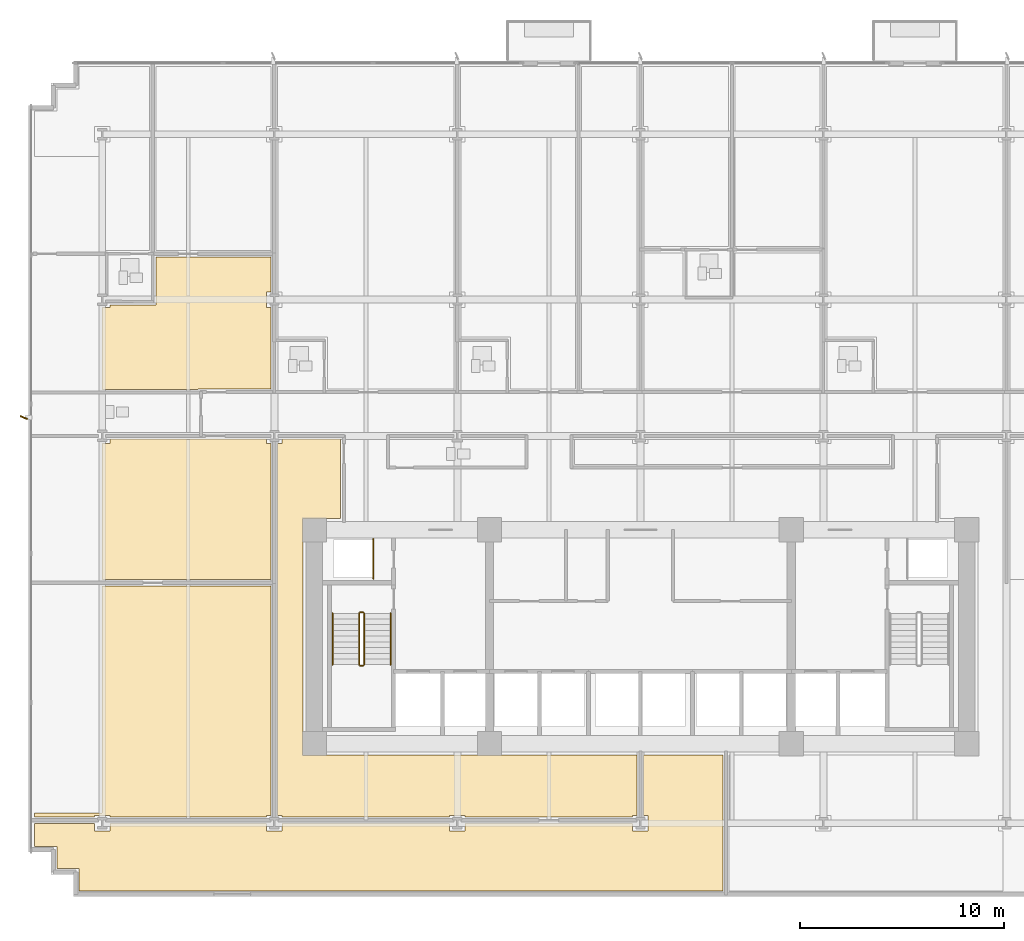
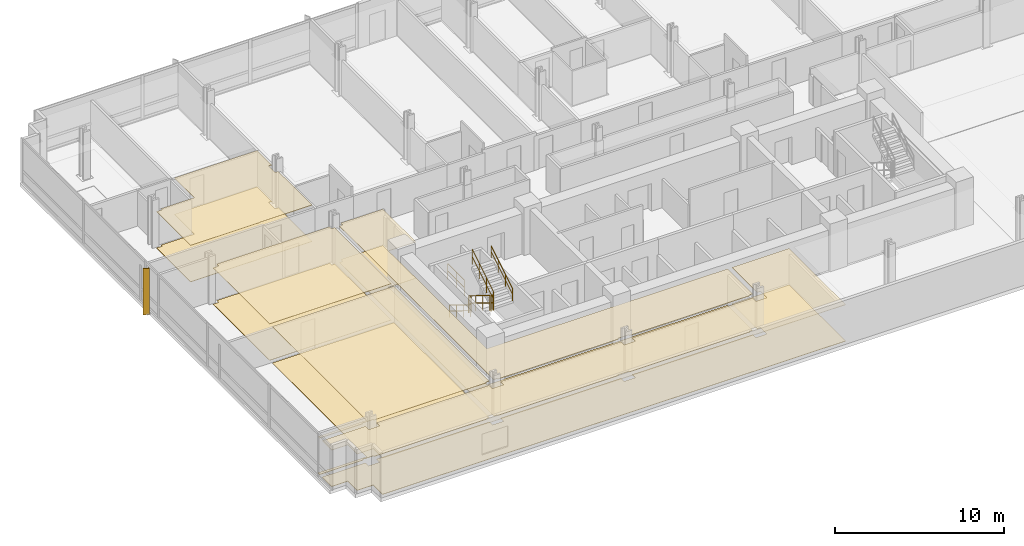
# One storey, part 12 of 16: 10 coverings, 7 railings, 1 shading device.
"""IFC4 building model written with IfcOpenShell, lengths in metres."""

from ifc_helpers import new_model, si_unit, direction, frame, origin, origin_2d, place, context, subcontext, project, spatial, polyline, rectangle, circle, outline, extrude, material, layer, layer_set, type_object, element, save


model = new_model("IFC4")

# Units and contexts
model_context = context("Model", 3, precision=1e-05, world=origin(), true_north=direction((0.0, 1.0)))
body_context = subcontext(model_context, "Body", "Model", "MODEL_VIEW")
ifc_project = project(units=[si_unit("LENGTHUNIT", "METRE"), si_unit("AREAUNIT", "SQUARE_METRE"), si_unit("VOLUMEUNIT", "CUBIC_METRE"), si_unit("PLANEANGLEUNIT", "RADIAN"), si_unit("MASSUNIT", "GRAM", prefix="KILO")], contexts=[model_context])

# Site, building, storey
site_placement = place(None, origin())
site = spatial("IfcSite", under=ifc_project, at=site_placement, CompositionType="ELEMENT")
building_placement = place(site_placement, origin())
building = spatial("IfcBuilding", under=site, at=building_placement, Name="Solmavex Isthmus Hotel", CompositionType="ELEMENT")
storey_placement = place(building_placement, frame((0.0, 0.0, 36.75)))
storey = spatial("IfcBuildingStorey", under=building, at=storey_placement, Name="L09", CompositionType="ELEMENT", Elevation=36.75)

# Coverings
ifc_material_1 = material(Name="Gypsum plasterboard lining", Category="gypsum")
ifc_layer_1 = layer(ifc_material_1, 0.030029296875)
ifc_layer_set_1 = layer_set([ifc_layer_1], Name="Gypsum plasterboard lining")
covering_type_1 = type_object("IfcCoveringType", Name="COV-CEIL-GYP", PredefinedType="CEILING", material=ifc_layer_set_1)
covering_1_placement = place(storey_placement, frame((0.0, 0.0, 2.6201171875)))
element("IfcCovering", 1, at=covering_1_placement, inside=storey, type_object=covering_type_1, Name="Suspended Acoustic Ceiling L09-SH01-LV", PredefinedType="CEILING", context=body_context, shape_type="SweptSolid", body=[
    extrude(outline(polyline([(-26.02001953125, 8.532958984375), (-26.02001953125, 8.407958984375), (-26.39990234375, 8.407958984375), (-26.39990234375, 4.385009765625), (-21.70703125, 4.385009765625), (-21.70703125, 4.405029296875), (-18.10693359375, 4.405029296875), (-18.10693359375, 8.407958984375), (-18.33203125, 8.407958984375), (-18.33203125, 9.16796875), (-18.10693359375, 9.16796875), (-18.10693359375, 10.883056640625), (-23.760986328125, 10.883056640625), (-23.760986328125, 8.532958984375), (-26.02001953125, 8.532958984375)])), origin(), (0.0, 0.0, 1.0), 0.02978515625),
])
covering_2_placement = place(storey_placement, frame((0.0, 0.0, 2.6201171875)))
element("IfcCovering", 2, at=covering_2_placement, inside=storey, type_object=covering_type_1, Name="Suspended Acoustic Ceiling L09-FL12", PredefinedType="CEILING", context=body_context, shape_type="SweptSolid", body=[
    extrude(outline(polyline([(-26.02001953125, 1.945068359375), (-26.02001953125, 1.719970703125), (-26.39990234375, 1.719970703125), (-26.39990234375, -4.945068359375), (-18.10693359375, -4.945068359375), (-18.10693359375, 1.719970703125), (-18.33203125, 1.719970703125), (-18.33203125, 1.945068359375), (-26.02001953125, 1.945068359375)])), origin(), (0.0, 0.0, 1.0), 0.02978515625),
])
covering_3_placement = place(storey_placement, frame((0.0, 0.0, 2.6201171875)))
element("IfcCovering", 3, at=covering_3_placement, inside=storey, type_object=covering_type_1, Name="Suspended Acoustic Ceiling L09-FL14", PredefinedType="CEILING", context=body_context, shape_type="SweptSolid", body=[
    extrude(outline(polyline([(-17.797119140625, -16.52001953125), (-17.572021484375, -16.52001953125), (-17.572021484375, -16.594970703125), (-9.35595703125, -16.594970703125), (-9.35595703125, -16.52001953125), (-8.595947265625, -16.52001953125), (-8.595947265625, -16.594970703125), (-0.3798828125, -16.594970703125), (-0.3798828125, -16.52001953125), (-0.155029296875, -16.52001953125), (-0.155029296875, -13.554931640625), (-16.554931640625, -13.554931640625), (-16.554931640625, -1.945068359375), (-14.698974609375, -1.945068359375), (-14.698974609375, 1.945068359375), (-17.572021484375, 1.945068359375), (-17.572021484375, 1.719970703125), (-17.797119140625, 1.719970703125), (-17.797119140625, -16.52001953125)])), origin(), (0.0, 0.0, 1.0), 0.02978515625),
])
covering_4_placement = place(storey_placement, frame((0.0, 0.0, 2.6201171875)))
element("IfcCovering", 4, at=covering_4_placement, inside=storey, type_object=covering_type_1, Name="Suspended Acoustic Ceiling L09-FL16", PredefinedType="CEILING", context=body_context, shape_type="SweptSolid", body=[
    extrude(outline(polyline([(-26.02001953125, -16.905029296875), (-26.02001953125, -17.280029296875), (-26.780029296875, -17.280029296875), (-26.780029296875, -16.905029296875), (-29.72509765625, -16.905029296875), (-29.72509765625, -18.02490234375), (-28.625, -18.02490234375), (-28.625, -19.125), (-27.52490234375, -19.125), (-27.52490234375, -20.22509765625), (4.044921875, -20.22509765625), (4.044921875, -13.554931640625), (0.155029296875, -13.554931640625), (0.155029296875, -16.52001953125), (0.3798828125, -16.52001953125), (0.3798828125, -17.280029296875), (-0.3798828125, -17.280029296875), (-0.3798828125, -16.905029296875), (-8.595947265625, -16.905029296875), (-8.595947265625, -17.280029296875), (-9.35595703125, -17.280029296875), (-9.35595703125, -16.905029296875), (-17.572021484375, -16.905029296875), (-17.572021484375, -17.280029296875), (-18.33203125, -17.280029296875), (-18.33203125, -16.905029296875), (-26.02001953125, -16.905029296875)])), origin(), (0.0, 0.0, 1.0), 0.02978515625),
])
covering_5_placement = place(storey_placement, frame((0.0, 0.0, 2.6201171875)))
element("IfcCovering", 5, at=covering_5_placement, inside=storey, type_object=covering_type_1, Name="Suspended Acoustic Ceiling L09-FL17", PredefinedType="CEILING", context=body_context, shape_type="SweptSolid", body=[
    extrude(outline(polyline([(-26.780029296875, -16.594970703125), (-26.780029296875, -16.52001953125), (-26.02001953125, -16.52001953125), (-26.02001953125, -16.594970703125), (-18.33203125, -16.594970703125), (-18.33203125, -16.52001953125), (-18.10693359375, -16.52001953125), (-18.10693359375, -5.2548828125), (-26.39990234375, -5.2548828125), (-26.39990234375, -16.39990234375), (-29.72509765625, -16.39990234375), (-29.72509765625, -16.594970703125), (-26.780029296875, -16.594970703125)])), origin(), (0.0, 0.0, 1.0), 0.02978515625),
])
ifc_material_2 = material(Name="Travertine natural stone", Category="masonry")
ifc_layer_2 = layer(ifc_material_2, 0.02490234375)
ifc_layer_set_2 = layer_set([ifc_layer_2], Name="Travertine natural stone")
covering_type_2 = type_object("IfcCoveringType", Name="COV-FLOR-STN", PredefinedType="FLOORING", material=ifc_layer_set_2)
covering_6_placement = place(storey_placement, origin())
element("IfcCovering", 6, at=covering_6_placement, inside=storey, type_object=covering_type_2, Name="Stone and Timber Floor Finish L09-SH01-LV", PredefinedType="FLOORING", context=body_context, shape_type="SweptSolid", body=[
    extrude(outline(polyline([(-26.02001953125, 8.532958984375), (-26.02001953125, 8.407958984375), (-26.39990234375, 8.407958984375), (-26.39990234375, 4.385009765625), (-21.70703125, 4.385009765625), (-21.70703125, 4.405029296875), (-18.10693359375, 4.405029296875), (-18.10693359375, 8.407958984375), (-18.33203125, 8.407958984375), (-18.33203125, 9.16796875), (-18.10693359375, 9.16796875), (-18.10693359375, 10.883056640625), (-23.760986328125, 10.883056640625), (-23.760986328125, 8.532958984375), (-26.02001953125, 8.532958984375)])), origin(), (0.0, 0.0, 1.0), 0.02490234375),
])
covering_7_placement = place(storey_placement, origin())
element("IfcCovering", 7, at=covering_7_placement, inside=storey, type_object=covering_type_2, Name="Stone and Timber Floor Finish L09-FL12", PredefinedType="FLOORING", context=body_context, shape_type="SweptSolid", body=[
    extrude(outline(polyline([(-26.02001953125, 1.945068359375), (-26.02001953125, 1.719970703125), (-26.39990234375, 1.719970703125), (-26.39990234375, -4.945068359375), (-18.10693359375, -4.945068359375), (-18.10693359375, 1.719970703125), (-18.33203125, 1.719970703125), (-18.33203125, 1.945068359375), (-26.02001953125, 1.945068359375)])), origin(), (0.0, 0.0, 1.0), 0.02490234375),
])
covering_8_placement = place(storey_placement, origin())
element("IfcCovering", 8, at=covering_8_placement, inside=storey, type_object=covering_type_2, Name="Stone and Timber Floor Finish L09-FL14", PredefinedType="FLOORING", context=body_context, shape_type="SweptSolid", body=[
    extrude(outline(polyline([(-17.797119140625, -16.52001953125), (-17.572021484375, -16.52001953125), (-17.572021484375, -16.594970703125), (-9.35595703125, -16.594970703125), (-9.35595703125, -16.52001953125), (-8.595947265625, -16.52001953125), (-8.595947265625, -16.594970703125), (-0.3798828125, -16.594970703125), (-0.3798828125, -16.52001953125), (-0.155029296875, -16.52001953125), (-0.155029296875, -13.554931640625), (-16.554931640625, -13.554931640625), (-16.554931640625, -1.945068359375), (-14.698974609375, -1.945068359375), (-14.698974609375, 1.945068359375), (-17.572021484375, 1.945068359375), (-17.572021484375, 1.719970703125), (-17.797119140625, 1.719970703125), (-17.797119140625, -16.52001953125)])), origin(), (0.0, 0.0, 1.0), 0.02490234375),
])
covering_9_placement = place(storey_placement, origin())
element("IfcCovering", 9, at=covering_9_placement, inside=storey, type_object=covering_type_2, Name="Stone and Timber Floor Finish L09-FL16", PredefinedType="FLOORING", context=body_context, shape_type="SweptSolid", body=[
    extrude(outline(polyline([(-26.02001953125, -16.905029296875), (-26.02001953125, -17.280029296875), (-26.780029296875, -17.280029296875), (-26.780029296875, -16.905029296875), (-29.72509765625, -16.905029296875), (-29.72509765625, -18.02490234375), (-28.625, -18.02490234375), (-28.625, -19.125), (-27.52490234375, -19.125), (-27.52490234375, -20.22509765625), (4.044921875, -20.22509765625), (4.044921875, -13.554931640625), (0.155029296875, -13.554931640625), (0.155029296875, -16.52001953125), (0.3798828125, -16.52001953125), (0.3798828125, -17.280029296875), (-0.3798828125, -17.280029296875), (-0.3798828125, -16.905029296875), (-8.595947265625, -16.905029296875), (-8.595947265625, -17.280029296875), (-9.35595703125, -17.280029296875), (-9.35595703125, -16.905029296875), (-17.572021484375, -16.905029296875), (-17.572021484375, -17.280029296875), (-18.33203125, -17.280029296875), (-18.33203125, -16.905029296875), (-26.02001953125, -16.905029296875)])), origin(), (0.0, 0.0, 1.0), 0.02490234375),
])
covering_10_placement = place(storey_placement, origin())
element("IfcCovering", 10, at=covering_10_placement, inside=storey, type_object=covering_type_2, Name="Stone and Timber Floor Finish L09-FL17", PredefinedType="FLOORING", context=body_context, shape_type="SweptSolid", body=[
    extrude(outline(polyline([(-26.780029296875, -16.594970703125), (-26.780029296875, -16.52001953125), (-26.02001953125, -16.52001953125), (-26.02001953125, -16.594970703125), (-18.33203125, -16.594970703125), (-18.33203125, -16.52001953125), (-18.10693359375, -16.52001953125), (-18.10693359375, -5.2548828125), (-26.39990234375, -5.2548828125), (-26.39990234375, -16.39990234375), (-29.72509765625, -16.39990234375), (-29.72509765625, -16.594970703125), (-26.780029296875, -16.594970703125)])), origin(), (0.0, 0.0, 1.0), 0.02490234375),
])

# Railings
ifc_material_3 = material(Name="Clear low-E laminated glass", Category="glass")
ifc_layer_3 = layer(ifc_material_3, 0.080078125)
ifc_layer_set_3 = layer_set([ifc_layer_3], Name="Clear low-E laminated glass")
railing_type_1 = type_object("IfcRailingType", Name="RAIL-ATRIUM-1120", PredefinedType="BALUSTRADE", material=ifc_layer_set_3)
railing_1_placement = place(storey_placement, frame((-13.10009765625, -4.89990234375, 0.0)))
element("IfcRailing", 11, at=railing_1_placement, inside=storey, type_object=railing_type_1, Name="Guardrail Balustrade L09-RSW-01", PredefinedType="BALUSTRADE", context=body_context, shape_type="SweptSolid", body=[
    extrude(circle(Radius=0.02392578125, at=origin_2d()), frame((0.0, 0.0, 1.1259765625), z_axis=(0.0, 1.0, 0.0), x_axis=(-1.0, 0.0, 0.0)), (0.0, 0.0, 1.0), 1.949951171875),
    extrude(circle(Radius=0.02392578125, at=origin_2d()), frame((0.0, 0.0, 0.574951171875), z_axis=(0.0, 1.0, 0.0), x_axis=(-1.0, 0.0, 0.0)), (0.0, 0.0, 1.0), 1.949951171875),
    extrude(circle(Radius=0.02099609375, at=origin_2d()), origin(), (0.0, 0.0, 1.0), 1.101806640625),
    extrude(circle(Radius=0.02099609375, at=origin_2d()), frame((0.0, 0.97509765625, 0.0)), (0.0, 0.0, 1.0), 1.101806640625),
    extrude(circle(Radius=0.02099609375, at=origin_2d()), frame((0.0, 1.949951171875, 0.0)), (0.0, 0.0, 1.0), 1.101806640625),
])
ifc_material_4 = material(Name="Stainless steel 316", Category="steel")
ifc_layer_4 = layer(ifc_material_4, 0.06005859375)
ifc_layer_set_4 = layer_set([ifc_layer_4], Name="Stainless steel 316")
railing_type_2 = type_object("IfcRailingType", Name="RAIL-STAIR-GD", PredefinedType="GUARDRAIL", material=ifc_layer_set_4)
railing_2_placement = place(storey_placement, frame((-13.800048828125, -6.60009765625, 0.172607421875)))
element("IfcRailing", 12, at=railing_2_placement, inside=storey, type_object=railing_type_2, Name="L09 ST-1 stair guard 1", PredefinedType="GUARDRAIL", context=body_context, shape_type="SweptSolid", body=[
    extrude(circle(Radius=0.02392578125, at=origin_2d()), frame((0.0, 0.0, 1.09619140625), z_axis=(0.0, -0.851400495292, 0.524516154772), x_axis=(1.0, 0.0, 0.0)), (0.0, 0.0, 1.0), 2.9599609375),
    extrude(circle(Radius=0.02392578125, at=origin_2d()), frame((0.0, 0.0, 0.56005859375), z_axis=(0.0, -0.851400495292, 0.524516154772), x_axis=(1.0, 0.0, 0.0)), (0.0, 0.0, 1.0), 2.9599609375),
    extrude(circle(Radius=0.02099609375, at=origin_2d()), origin(), (0.0, 0.0, 1.0), 1.072021484375),
    extrude(circle(Radius=0.02099609375, at=origin_2d()), frame((0.0, -0.840087890625, 0.517578125)), (0.0, 0.0, 1.0), 1.072021484375),
    extrude(circle(Radius=0.02099609375, at=origin_2d()), frame((0.0, -1.679931640625, 1.034912109375)), (0.0, 0.0, 1.0), 1.072021484375),
    extrude(circle(Radius=0.02099609375, at=origin_2d()), frame((0.0, -2.52001953125, 1.552490234375)), (0.0, 0.0, 1.0), 1.072021484375),
])
railing_3_placement = place(storey_placement, frame((-13.75, -9.169921875, 1.72509765625)))
element("IfcRailing", 13, at=railing_3_placement, inside=storey, type_object=railing_type_2, Name="L09 ST-1 stair guard 2", PredefinedType="GUARDRAIL", context=body_context, shape_type="SweptSolid", body=[
    extrude(circle(Radius=0.02392578125, at=origin_2d()), frame((0.0, 0.0, 1.09619140625), z_axis=(1.0, 0.0, 0.0), x_axis=(0.0, 1.0, 0.0)), (0.0, 0.0, 1.0), 0.14990234375),
    extrude(circle(Radius=0.02392578125, at=origin_2d()), frame((0.0, 0.0, 0.56005859375), z_axis=(1.0, 0.0, 0.0), x_axis=(0.0, 1.0, 0.0)), (0.0, 0.0, 1.0), 0.14990234375),
    extrude(circle(Radius=0.02099609375, at=origin_2d()), origin(), (0.0, 0.0, 1.0), 1.072021484375),
    extrude(circle(Radius=0.02099609375, at=origin_2d()), frame((0.14990234375, 0.0, 0.0)), (0.0, 0.0, 1.0), 1.072021484375),
])
railing_4_placement = place(storey_placement, frame((-13.550048828125, -9.1201171875, 1.8974609375)))
element("IfcRailing", 14, at=railing_4_placement, inside=storey, type_object=railing_type_2, Name="L09 ST-1 stair guard 3", PredefinedType="GUARDRAIL", context=body_context, shape_type="SweptSolid", body=[
    extrude(circle(Radius=0.02392578125, at=origin_2d()), frame((0.0, 0.0, 1.09619140625), z_axis=(0.0, 0.851400495292, 0.524516154772), x_axis=(-1.0, 0.0, 0.0)), (0.0, 0.0, 1.0), 2.9599609375),
    extrude(circle(Radius=0.02392578125, at=origin_2d()), frame((0.0, 0.0, 0.56005859375), z_axis=(0.0, 0.851400495292, 0.524516154772), x_axis=(-1.0, 0.0, 0.0)), (0.0, 0.0, 1.0), 2.9599609375),
    extrude(circle(Radius=0.02099609375, at=origin_2d()), origin(), (0.0, 0.0, 1.0), 1.072021484375),
    extrude(circle(Radius=0.02099609375, at=origin_2d()), frame((0.0, 0.840087890625, 0.517578125)), (0.0, 0.0, 1.0), 1.072021484375),
    extrude(circle(Radius=0.02099609375, at=origin_2d()), frame((0.0, 1.679931640625, 1.034912109375)), (0.0, 0.0, 1.0), 1.072021484375),
    extrude(circle(Radius=0.02099609375, at=origin_2d()), frame((0.0, 2.52001953125, 1.552490234375)), (0.0, 0.0, 1.0), 1.072021484375),
])
railing_5_placement = place(storey_placement, frame((-13.75, -6.550048828125, 0.0)))
element("IfcRailing", 15, at=railing_5_placement, inside=storey, type_object=railing_type_2, Name="L09 ST-1 stair guard 4", PredefinedType="GUARDRAIL", context=body_context, shape_type="SweptSolid", body=[
    extrude(circle(Radius=0.02392578125, at=origin_2d()), frame((0.0, 0.0, 1.09619140625), z_axis=(1.0, 0.0, 0.0), x_axis=(0.0, 1.0, 0.0)), (0.0, 0.0, 1.0), 0.14990234375),
    extrude(circle(Radius=0.02392578125, at=origin_2d()), frame((0.0, 0.0, 0.56005859375), z_axis=(1.0, 0.0, 0.0), x_axis=(0.0, 1.0, 0.0)), (0.0, 0.0, 1.0), 0.14990234375),
    extrude(circle(Radius=0.02099609375, at=origin_2d()), origin(), (0.0, 0.0, 1.0), 1.072021484375),
    extrude(circle(Radius=0.02099609375, at=origin_2d()), frame((0.14990234375, 0.0, 0.0)), (0.0, 0.0, 1.0), 1.072021484375),
])
ifc_layer_5 = layer(ifc_material_4, 0.050048828125)
ifc_layer_set_5 = layer_set([ifc_layer_5], Name="Stainless steel 316")
railing_type_3 = type_object("IfcRailingType", Name="RAIL-STAIR-HR", PredefinedType="HANDRAIL", material=ifc_layer_set_5)
railing_6_placement = place(storey_placement, frame((-15.10009765625, -6.60009765625, 0.172607421875)))
element("IfcRailing", 16, at=railing_6_placement, inside=storey, type_object=railing_type_3, Name="L09 ST-1 stair handrail 1", PredefinedType="HANDRAIL", context=body_context, shape_type="SweptSolid", body=[
    extrude(circle(Radius=0.02392578125, at=origin_2d()), frame((0.0, 0.0, 0.8759765625), z_axis=(0.0, -0.851400495292, 0.524516154772), x_axis=(1.0, 0.0, 0.0)), (0.0, 0.0, 1.0), 2.9599609375),
    extrude(circle(Radius=0.02392578125, at=origin_2d()), frame((0.0, 0.0, 0.449951171875), z_axis=(0.0, -0.851400495292, 0.524516154772), x_axis=(1.0, 0.0, 0.0)), (0.0, 0.0, 1.0), 2.9599609375),
    extrude(circle(Radius=0.02099609375, at=origin_2d()), origin(), (0.0, 0.0, 1.0), 0.851806640625),
    extrude(circle(Radius=0.02099609375, at=origin_2d()), frame((0.0, -0.840087890625, 0.517578125)), (0.0, 0.0, 1.0), 0.851806640625),
    extrude(circle(Radius=0.02099609375, at=origin_2d()), frame((0.0, -1.679931640625, 1.034912109375)), (0.0, 0.0, 1.0), 0.851806640625),
    extrude(circle(Radius=0.02099609375, at=origin_2d()), frame((0.0, -2.52001953125, 1.552490234375)), (0.0, 0.0, 1.0), 0.851806640625),
])
railing_7_placement = place(storey_placement, frame((-12.25, -9.1201171875, 1.8974609375)))
element("IfcRailing", 17, at=railing_7_placement, inside=storey, type_object=railing_type_3, Name="L09 ST-1 stair handrail 2", PredefinedType="HANDRAIL", context=body_context, shape_type="SweptSolid", body=[
    extrude(circle(Radius=0.02392578125, at=origin_2d()), frame((0.0, 0.0, 0.8759765625), z_axis=(0.0, 0.851400495292, 0.524516154772), x_axis=(-1.0, 0.0, 0.0)), (0.0, 0.0, 1.0), 2.9599609375),
    extrude(circle(Radius=0.02392578125, at=origin_2d()), frame((0.0, 0.0, 0.449951171875), z_axis=(0.0, 0.851400495292, 0.524516154772), x_axis=(-1.0, 0.0, 0.0)), (0.0, 0.0, 1.0), 2.9599609375),
    extrude(circle(Radius=0.02099609375, at=origin_2d()), origin(), (0.0, 0.0, 1.0), 0.851806640625),
    extrude(circle(Radius=0.02099609375, at=origin_2d()), frame((0.0, 0.840087890625, 0.517578125)), (0.0, 0.0, 1.0), 0.851806640625),
    extrude(circle(Radius=0.02099609375, at=origin_2d()), frame((0.0, 1.679931640625, 1.034912109375)), (0.0, 0.0, 1.0), 0.851806640625),
    extrude(circle(Radius=0.02099609375, at=origin_2d()), frame((0.0, 2.52001953125, 1.552490234375)), (0.0, 0.0, 1.0), 0.851806640625),
])

# Shading device
ifc_material_5 = material(Name="Aluminium alloy 6063-T6", Category="aluminium")
shading_device_type = type_object("IfcShadingDeviceType", Name="SHD-FIN-CHAMP", PredefinedType="USERDEFINED", material=ifc_material_5)
shading_device_placement = place(storey_placement, frame((-30.239990234375, 3.0, -0.14013671875), z_axis=(0.0, 0.0, 1.0), x_axis=(-0.913545457643, 0.406736643076, 0.0)))
element("IfcShadingDevice", 18, at=shading_device_placement, inside=storey, type_object=shading_device_type, Name="Anodised Aluminium Solar Fin L09-W1", ObjectType="SOLAR_FIN", PredefinedType="USERDEFINED", context=body_context, shape_type="SweptSolid", body=[
    extrude(rectangle(XDim=0.3798828125, YDim=0.070068359375, at=origin_2d()), origin(), (0.0, 0.0, 1.0), 3.330078125),
])

save(model, "model.ifc")
